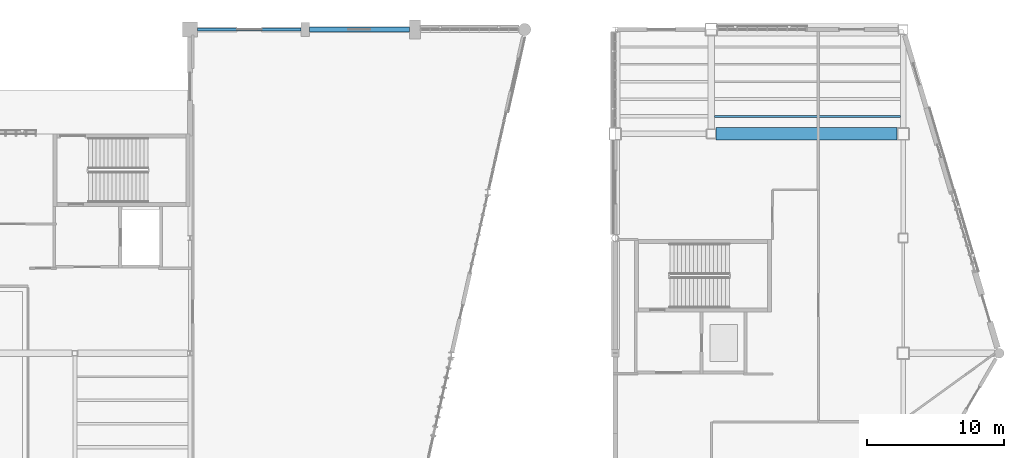
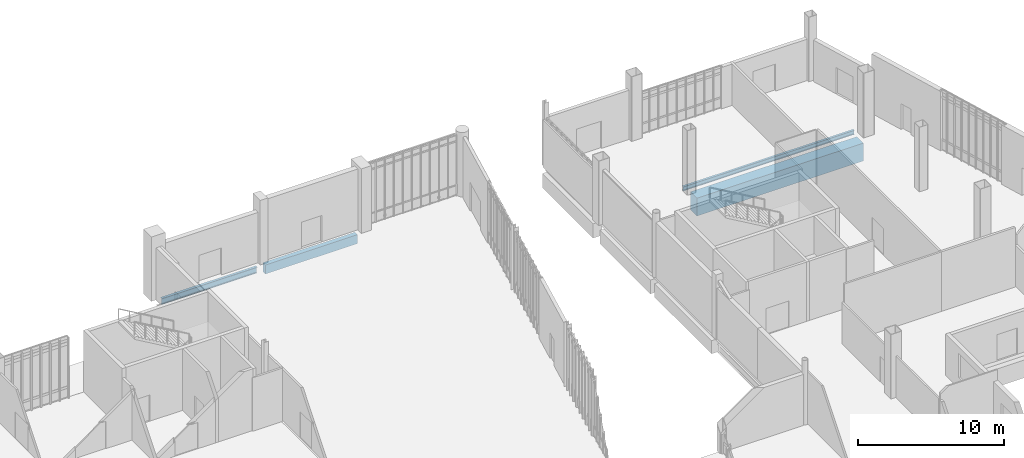
# One storey, part 30 of 111: 4 beams.
"""IFC4 building model written with IfcOpenShell, lengths in metres."""

from ifc_helpers import new_model, si_unit, direction, frame, origin, origin_2d, place, context, subcontext, project, spatial, rectangle, i_section, extrude, material, material_profile, profile_set, type_object, element, save


model = new_model("IFC4")

# Units and contexts
model_context = context("Model", 3, precision=1e-05, world=origin(), true_north=direction((0.0, 1.0)))
body_context = subcontext(model_context, "Body", "Model", "MODEL_VIEW")
ifc_project = project(units=[si_unit("LENGTHUNIT", "METRE"), si_unit("AREAUNIT", "SQUARE_METRE"), si_unit("VOLUMEUNIT", "CUBIC_METRE"), si_unit("PLANEANGLEUNIT", "RADIAN"), si_unit("MASSUNIT", "GRAM", prefix="KILO")], contexts=[model_context])

# Site, building, storey
site_placement = place(None, origin())
site = spatial("IfcSite", under=ifc_project, at=site_placement, CompositionType="ELEMENT")
building_placement = place(site_placement, origin())
building = spatial("IfcBuilding", under=site, at=building_placement, Name="Larkvane Passage Sports Hall", CompositionType="ELEMENT")
storey_placement = place(building_placement, origin())
storey = spatial("IfcBuildingStorey", under=building, at=storey_placement, Name="L00", CompositionType="ELEMENT", Elevation=0.0)

# Beams
ifc_material_1 = material(Name="Steel S355JR", Category="steel")
ifc_material_profile_1 = material_profile(ifc_material_1, i_section(OverallWidth=0.175048828125, OverallDepth=0.35009765625, WebThickness=0.007080078125, FlangeThickness=0.010986328125, FilletRadius=0.012939453125, at=origin_2d()), Name="H-350x175x7x11")
ifc_profile_set_1 = profile_set([ifc_material_profile_1], Name="Steel S355JR")
beam_type_1 = type_object("IfcBeamType", Name="JST-STL-H350", PredefinedType="JOIST", material=ifc_profile_set_1)
beam_1_placement = place(storey_placement, frame((131.824951171875, 92.86669921875, -0.594970703125), z_axis=(1.0, 0.0, 0.0), x_axis=(0.0, 1.0, 0.0)))
element("IfcBeam", 1, at=beam_1_placement, inside=storey, type_object=beam_type_1, Name="Composite joist L00 18/L-1", PredefinedType="JOIST", context=body_context, shape_type="SweptSolid", body=[
    extrude(i_section(OverallWidth=0.175048828125, OverallDepth=0.35009765625, WebThickness=0.007080078125, FlangeThickness=0.010986328125, FilletRadius=0.012939453125, at=origin_2d()), origin(), (0.0, 0.0, 1.0), 13.574951171875),
])
ifc_material_2 = material(Name="Concrete C50/60", Category="concrete")
ifc_material_profile_2 = material_profile(ifc_material_2, rectangle(XDim=0.89990234375, YDim=1.5, at=origin_2d()), Name="PT-GIR-900x1500")
ifc_profile_set_2 = profile_set([ifc_material_profile_2], Name="Concrete C50/60")
beam_type_2 = type_object("IfcBeamType", Name="PTG-900x1500", PredefinedType="BEAM", material=ifc_profile_set_2)
beam_2_placement = place(storey_placement, frame((131.949951171875, 91.60009765625, -1.169921875), z_axis=(1.0, 0.0, 0.0), x_axis=(0.0, 1.0, 0.0)))
element("IfcBeam", 2, at=beam_2_placement, inside=storey, type_object=beam_type_2, Name="Post-tensioned transfer girder BM5-X-L00-L-0071", PredefinedType="BEAM", context=body_context, shape_type="SweptSolid", body=[
    extrude(rectangle(XDim=0.89990234375, YDim=1.5, at=origin_2d()), origin(), (0.0, 0.0, 1.0), 13.199951171875),
])
ifc_material_3 = material(Name="Concrete C40/50", Category="concrete")
ifc_material_profile_3 = material_profile(ifc_material_3, rectangle(XDim=0.35009765625, YDim=0.75, at=origin_2d()), Name="RC-SP-350x750")
ifc_profile_set_3 = profile_set([ifc_material_profile_3], Name="Concrete C40/50")
beam_type_3 = type_object("IfcBeamType", Name="SP-RC-350x750", PredefinedType="SPANDREL", material=ifc_profile_set_3)
beam_3_placement = place(storey_placement, frame((102.300048828125, 99.199951171875, -0.794921875), z_axis=(1.0, 0.0, 0.0), x_axis=(0.0, 1.0, 0.0)))
element("IfcBeam", 3, at=beam_3_placement, inside=storey, type_object=beam_type_3, Name="Girder BM5-X-L00-M-0073", PredefinedType="SPANDREL", context=body_context, shape_type="SweptSolid", body=[
    extrude(rectangle(XDim=0.35009765625, YDim=0.75, at=origin_2d()), origin(), (0.0, 0.0, 1.0), 7.300048828125),
])
ifc_material_profile_4 = material_profile(ifc_material_1, i_section(OverallWidth=0.199951171875, OverallDepth=0.5, WebThickness=0.010009765625, FlangeThickness=0.01611328125, FilletRadius=0.01806640625, at=origin_2d()), Name="H-500x200x10x16")
ifc_profile_set_4 = profile_set([ifc_material_profile_4], Name="Steel S355JR")
beam_type_4 = type_object("IfcBeamType", Name="SP-STL-H500", PredefinedType="SPANDREL", material=ifc_profile_set_4)
beam_4_placement = place(storey_placement, frame((94.14990234375, 99.199951171875, -0.669921875), z_axis=(1.0, 0.0, 0.0), x_axis=(0.0, 1.0, 0.0)))
element("IfcBeam", 4, at=beam_4_placement, inside=storey, type_object=beam_type_4, Name="Girder BM5-X-L00-M-0072", PredefinedType="SPANDREL", context=body_context, shape_type="SweptSolid", body=[
    extrude(i_section(OverallWidth=0.199951171875, OverallDepth=0.5, WebThickness=0.010009765625, FlangeThickness=0.01611328125, FilletRadius=0.01806640625, at=origin_2d()), origin(), (0.0, 0.0, 1.0), 7.550048828125),
])

save(model, "model.ifc")
